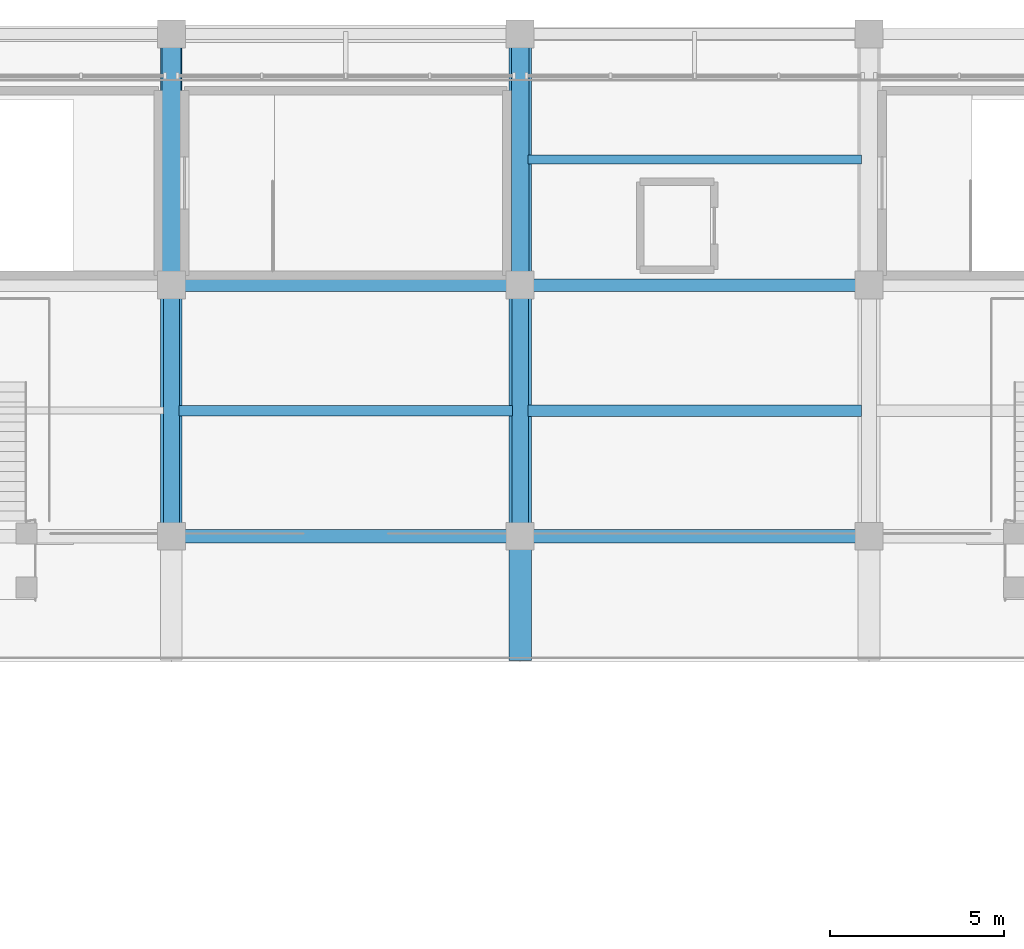
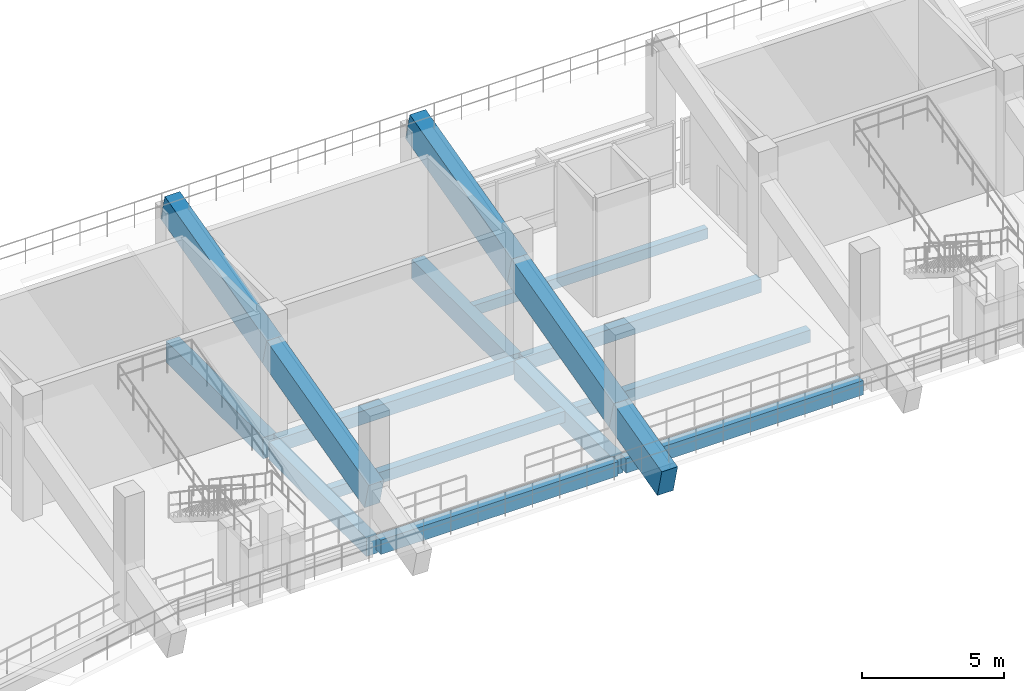
# One storey, part 42 of 96: 16 beams.
"""IFC4 building model written with IfcOpenShell, lengths in metres."""

from ifc_helpers import new_model, si_unit, direction, frame, origin, origin_2d, place, context, subcontext, project, spatial, rectangle, extrude, material, material_profile, profile_set, type_object, element, save


model = new_model("IFC4")

# Units and contexts
model_context = context("Model", 3, precision=1e-05, world=origin(), true_north=direction((0.0, 1.0)))
body_context = subcontext(model_context, "Body", "Model", "MODEL_VIEW")
ifc_project = project(units=[si_unit("LENGTHUNIT", "METRE"), si_unit("AREAUNIT", "SQUARE_METRE"), si_unit("VOLUMEUNIT", "CUBIC_METRE"), si_unit("PLANEANGLEUNIT", "RADIAN"), si_unit("MASSUNIT", "GRAM", prefix="KILO")], contexts=[model_context])

# Site, building, storey
site_placement = place(None, origin())
site = spatial("IfcSite", under=ifc_project, at=site_placement, CompositionType="ELEMENT")
building_placement = place(site_placement, origin())
building = spatial("IfcBuilding", under=site, at=building_placement, Name="Candeia Ridge Stadium", CompositionType="ELEMENT")
storey_placement = place(building_placement, frame((0.0, 0.0, 21.60009765625)))
storey = spatial("IfcBuildingStorey", under=building, at=storey_placement, Name="L04", CompositionType="ELEMENT", Elevation=21.60009765625)

# Beams
ifc_material_1 = material(Name="Concrete C40/50", Category="concrete")
ifc_material_profile_1 = material_profile(ifc_material_1, rectangle(XDim=0.27001953125, YDim=0.43994140625, at=origin_2d()), Name="RC270x440", Category="concrete")
ifc_profile_set_1 = profile_set([ifc_material_profile_1], Name="Concrete C40/50")
beam_type_1 = type_object("IfcBeamType", Name="Floor Joist RC270x440", PredefinedType="JOIST", material=ifc_profile_set_1)
beam_1_placement = place(storey_placement, frame((100.778076171875, 143.39990234375, -0.47998046875), z_axis=(-1.0, 0.0, 0.0), x_axis=(0.0, -1.0, 0.0)))
element("IfcBeam", 1, at=beam_1_placement, inside=storey, type_object=beam_type_1, Name="Concourse secondary joist BM-L04-0814", PredefinedType="JOIST", context=body_context, shape_type="SweptSolid", body=[
    extrude(rectangle(XDim=0.27001953125, YDim=0.43994140625, at=origin_2d()), origin(), (0.0, 0.0, 1.0), 9.55615234375),
])
ifc_material_profile_2 = material_profile(ifc_material_1, rectangle(XDim=0.31005859375, YDim=0.489990234375, at=origin_2d()), Name="RC310x490", Category="concrete")
ifc_profile_set_2 = profile_set([ifc_material_profile_2], Name="Concrete C40/50")
beam_type_2 = type_object("IfcBeamType", Name="Floor Joist RC310x490", PredefinedType="JOIST", material=ifc_profile_set_2)
beam_2_placement = place(storey_placement, frame((90.778076171875, 136.199951171875, -0.505126953125), z_axis=(-1.0, 0.0, 0.0), x_axis=(0.0, -1.0, 0.0)))
element("IfcBeam", 2, at=beam_2_placement, inside=storey, type_object=beam_type_2, Name="Concourse secondary joist BM-L04-0818", PredefinedType="JOIST", context=body_context, shape_type="SweptSolid", body=[
    extrude(rectangle(XDim=0.31005859375, YDim=0.489990234375, at=origin_2d()), origin(), (0.0, 0.0, 1.0), 9.55615234375),
])
ifc_material_profile_3 = material_profile(ifc_material_1, rectangle(XDim=0.330078125, YDim=0.530029296875, at=origin_2d()), Name="RC330x530", Category="concrete")
ifc_profile_set_3 = profile_set([ifc_material_profile_3], Name="Concrete C40/50")
beam_type_3 = type_object("IfcBeamType", Name="Floor Joist RC330x530", PredefinedType="JOIST", material=ifc_profile_set_3)
beam_3_placement = place(storey_placement, frame((100.778076171875, 136.199951171875, -0.525146484375), z_axis=(-1.0, 0.0, 0.0), x_axis=(0.0, -1.0, 0.0)))
element("IfcBeam", 3, at=beam_3_placement, inside=storey, type_object=beam_type_3, Name="Concourse secondary joist BM-L04-0813", PredefinedType="JOIST", context=body_context, shape_type="SweptSolid", body=[
    extrude(rectangle(XDim=0.330078125, YDim=0.530029296875, at=origin_2d()), origin(), (0.0, 0.0, 1.0), 9.55615234375),
])
ifc_material_profile_4 = material_profile(ifc_material_1, rectangle(XDim=0.360107421875, YDim=0.580078125, at=origin_2d()), Name="RC360x580", Category="concrete")
ifc_profile_set_4 = profile_set([ifc_material_profile_4], Name="Concrete C40/50")
beam_type_4 = type_object("IfcBeamType", Name="Frame Girder RC360x580", PredefinedType="BEAM", material=ifc_profile_set_4)
for number, where, z_axis, x_axis, name in (
    (4, (100.840087890625, 139.800048828125, -0.550048828125), (-1.0, 0.0, 0.0), (0.0, -1.0, 0.0), "Concourse spine girder BM-L04-0811"),
    (5, (90.840087890625, 139.800048828125, -0.550048828125), (-1.0, 0.0, 0.0), (0.0, -1.0, 0.0), "Concourse spine girder BM-L04-0816"),
):
    element("IfcBeam", number, at=place(storey_placement, frame(where, z_axis=z_axis, x_axis=x_axis)), inside=storey, type_object=beam_type_4, Name=name, PredefinedType="BEAM", context=body_context, shape_type="SweptSolid", body=[
        extrude(rectangle(XDim=0.360107421875, YDim=0.580078125, at=origin_2d()), origin(), (0.0, 0.0, 1.0), 9.68017578125),
    ])
ifc_material_profile_5 = material_profile(ifc_material_1, rectangle(XDim=0.3798828125, YDim=0.6201171875, at=origin_2d()), Name="RC380x620", Category="concrete")
ifc_profile_set_5 = profile_set([ifc_material_profile_5], Name="Concrete C40/50")
beam_type_5 = type_object("IfcBeamType", Name="Frame Girder RC380x620", PredefinedType="BEAM", material=ifc_profile_set_5)
for number, where, z_axis, x_axis, name in (
    (6, (100.840087890625, 132.60009765625, -0.570068359375), (-1.0, 0.0, 0.0), (0.0, -1.0, 0.0), "Bowl inner ring girder BM-L04-0810"),
    (7, (90.840087890625, 132.60009765625, -0.570068359375), (-1.0, 0.0, 0.0), (0.0, -1.0, 0.0), "Bowl inner ring girder BM-L04-0815"),
):
    element("IfcBeam", number, at=place(storey_placement, frame(where, z_axis=z_axis, x_axis=x_axis)), inside=storey, type_object=beam_type_5, Name=name, PredefinedType="BEAM", context=body_context, shape_type="SweptSolid", body=[
        extrude(rectangle(XDim=0.3798828125, YDim=0.6201171875, at=origin_2d()), origin(), (0.0, 0.0, 1.0), 9.68017578125),
    ])
ifc_material_profile_6 = material_profile(ifc_material_1, rectangle(XDim=0.4599609375, YDim=0.780029296875, at=origin_2d()), Name="RC460x780", Category="concrete")
ifc_profile_set_6 = profile_set([ifc_material_profile_6], Name="Concrete C40/50")
beam_type_6 = type_object("IfcBeamType", Name="Frame Girder RC460x780", PredefinedType="BEAM", material=ifc_profile_set_6)
beam_4_placement = place(storey_placement, frame((81.0, 132.760009765625, -0.650146484375), z_axis=(0.0, 1.0, 0.0), x_axis=(-1.0, 0.0, 0.0)))
element("IfcBeam", 8, at=beam_4_placement, inside=storey, type_object=beam_type_6, Name="Bowl radial girder BM-L04-0733", PredefinedType="BEAM", context=body_context, shape_type="SweptSolid", body=[
    extrude(rectangle(XDim=0.4599609375, YDim=0.780029296875, at=origin_2d()), origin(), (0.0, 0.0, 1.0), 6.8798828125),
])
ifc_material_2 = material(Name="Concrete C45/55", Category="concrete")
ifc_material_profile_7 = material_profile(ifc_material_2, rectangle(XDim=0.47998046875, YDim=0.820068359375, at=origin_2d()), Name="RC480x820", Category="concrete")
ifc_profile_set_7 = profile_set([ifc_material_profile_7], Name="Concrete C45/55")
beam_type_7 = type_object("IfcBeamType", Name="Frame Girder RC480x820", PredefinedType="BEAM", material=ifc_profile_set_7)
beam_5_placement = place(storey_placement, frame((91.0, 132.760009765625, -0.670166015625), z_axis=(0.0, 1.0, 0.0), x_axis=(-1.0, 0.0, 0.0)))
element("IfcBeam", 9, at=beam_5_placement, inside=storey, type_object=beam_type_7, Name="Bowl radial girder BM-L04-0731", PredefinedType="BEAM", context=body_context, shape_type="SweptSolid", body=[
    extrude(rectangle(XDim=0.47998046875, YDim=0.820068359375, at=origin_2d()), origin(), (0.0, 0.0, 1.0), 6.8798828125),
])
ifc_material_profile_8 = material_profile(ifc_material_2, rectangle(XDim=0.5, YDim=0.85009765625, at=origin_2d()), Name="RC500x850", Category="concrete")
ifc_profile_set_8 = profile_set([ifc_material_profile_8], Name="Concrete C45/55")
beam_type_8 = type_object("IfcBeamType", Name="Frame Girder RC500x850", PredefinedType="BEAM", material=ifc_profile_set_8)
beam_6_placement = place(storey_placement, frame((91.0, 139.9599609375, -0.68505859375), z_axis=(0.0, 1.0, 0.0), x_axis=(-1.0, 0.0, 0.0)))
element("IfcBeam", 10, at=beam_6_placement, inside=storey, type_object=beam_type_8, Name="Bowl radial girder BM-L04-0732", PredefinedType="BEAM", context=body_context, shape_type="SweptSolid", body=[
    extrude(rectangle(XDim=0.5, YDim=0.85009765625, at=origin_2d()), origin(), (0.0, 0.0, 1.0), 6.880126953125),
])
ifc_material_profile_9 = material_profile(ifc_material_2, rectangle(XDim=0.550048828125, YDim=0.919921875, at=origin_2d()), Name="RC550x920", Category="concrete")
ifc_profile_set_9 = profile_set([ifc_material_profile_9], Name="Concrete C45/55")
beam_type_9 = type_object("IfcBeamType", Name="Frame Girder RC550x920", PredefinedType="BEAM", material=ifc_profile_set_9)
beam_7_placement = place(storey_placement, frame((81.0, 139.9599609375, -0.72021484375), z_axis=(0.0, 1.0, 0.0), x_axis=(-1.0, 0.0, 0.0)))
element("IfcBeam", 11, at=beam_7_placement, inside=storey, type_object=beam_type_9, Name="Bowl radial girder BM-L04-0734", PredefinedType="BEAM", context=body_context, shape_type="SweptSolid", body=[
    extrude(rectangle(XDim=0.550048828125, YDim=0.919921875, at=origin_2d()), origin(), (0.0, 0.0, 1.0), 6.880126953125),
])
ifc_material_profile_10 = material_profile(ifc_material_2, rectangle(XDim=0.6201171875, YDim=1.179931640625, at=origin_2d()), Name="RC620x1180", Category="concrete")
ifc_profile_set_10 = profile_set([ifc_material_profile_10], Name="Concrete C45/55")
beam_type_10 = type_object("IfcBeamType", Name="Stand Raker Beam RC620x1180", PredefinedType="USERDEFINED", material=ifc_profile_set_10)
beam_8_placement = place(storey_placement, frame((81.0, 132.60009765625, 1.66796875), z_axis=(0.0, 0.968083084121, 0.250629491956), x_axis=(-1.0, 0.0, 0.0)))
element("IfcBeam", 12, at=beam_8_placement, inside=storey, type_object=beam_type_10, Name="Stand T3 inner raker beam 07", ObjectType="RAKER", PredefinedType="USERDEFINED", context=body_context, shape_type="SweptSolid", body=[
    extrude(rectangle(XDim=0.6201171875, YDim=1.179931640625, at=origin_2d()), origin(), (0.0, 0.0, 1.0), 7.437255859375),
])
beam_9_placement = place(storey_placement, frame((81.0, 139.800048828125, 3.531982421875), z_axis=(0.0, 0.968067153083, 0.250691019229), x_axis=(-1.0, 0.0, 0.0)))
element("IfcBeam", 13, at=beam_9_placement, inside=storey, type_object=beam_type_10, Name="Stand T3 outer raker beam 07", ObjectType="RAKER", PredefinedType="USERDEFINED", context=body_context, shape_type="SweptSolid", body=[
    extrude(rectangle(XDim=0.6201171875, YDim=1.179931640625, at=origin_2d()), origin(), (0.0, 0.0, 1.0), 7.4375),
])
ifc_material_profile_11 = material_profile(ifc_material_2, rectangle(XDim=0.64990234375, YDim=1.25, at=origin_2d()), Name="RC650x1250", Category="concrete")
ifc_profile_set_11 = profile_set([ifc_material_profile_11], Name="Concrete C45/55")
beam_type_11 = type_object("IfcBeamType", Name="Stand Raker Beam RC650x1250", PredefinedType="USERDEFINED", material=ifc_profile_set_11)
beam_10_placement = place(storey_placement, frame((91.0, 132.60009765625, 1.66796875), z_axis=(0.0, 0.968083084121, 0.250629491956), x_axis=(-1.0, 0.0, 0.0)))
element("IfcBeam", 14, at=beam_10_placement, inside=storey, type_object=beam_type_11, Name="Stand T3 inner raker beam 06", ObjectType="RAKER", PredefinedType="USERDEFINED", context=body_context, shape_type="SweptSolid", body=[
    extrude(rectangle(XDim=0.64990234375, YDim=1.25, at=origin_2d()), origin(), (0.0, 0.0, 1.0), 7.437255859375),
])
beam_11_placement = place(storey_placement, frame((91.0, 139.800048828125, 3.531982421875), z_axis=(0.0, 0.968067153083, 0.250691019229), x_axis=(-1.0, 0.0, 0.0)))
element("IfcBeam", 15, at=beam_11_placement, inside=storey, type_object=beam_type_11, Name="Stand T3 outer raker beam 06", ObjectType="RAKER", PredefinedType="USERDEFINED", context=body_context, shape_type="SweptSolid", body=[
    extrude(rectangle(XDim=0.64990234375, YDim=1.25, at=origin_2d()), origin(), (0.0, 0.0, 1.0), 7.4375),
])
beam_12_placement = place(storey_placement, frame((91.0, 129.199951171875, 0.78759765625), z_axis=(0.0, 0.968076277783, 0.250655780691), x_axis=(-1.0, 0.0, 0.0)))
element("IfcBeam", 16, at=beam_12_placement, inside=storey, type_object=beam_type_11, Name="Stand T3 cantilever raker beam 06", ObjectType="RAKER", PredefinedType="USERDEFINED", context=body_context, shape_type="SweptSolid", body=[
    extrude(rectangle(XDim=0.64990234375, YDim=1.25, at=origin_2d()), origin(), (0.0, 0.0, 1.0), 3.51220703125),
])

save(model, "model.ifc")
